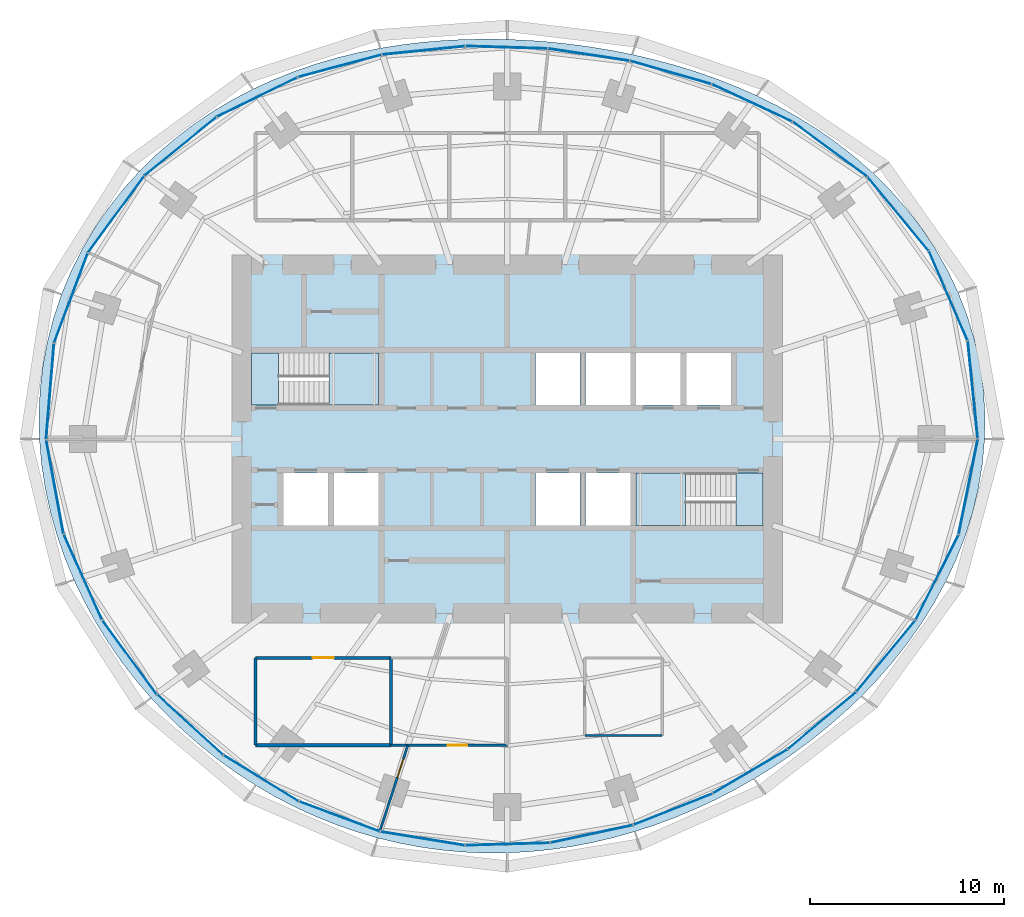
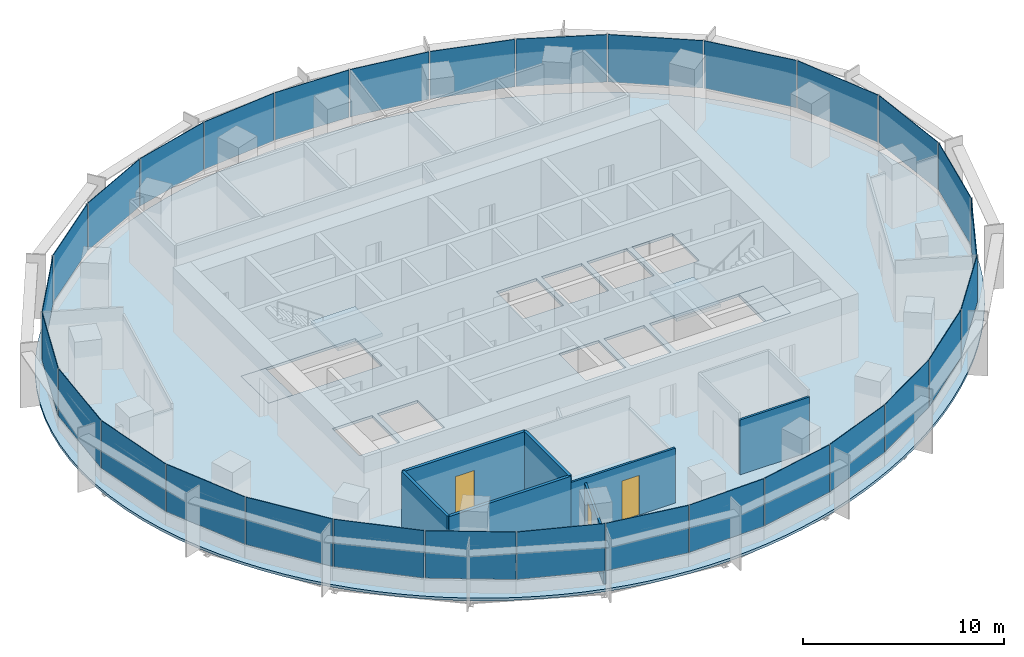
# One storey, part 9 of 14: 30 plates, 7 walls, 5 slabs, 3 doors, 3 openings, 8 elements without a shape of their own.
"""IFC4 building model written with IfcOpenShell, lengths in metres."""

from ifc_helpers import new_model, si_unit, direction, frame, frame_2d, origin, origin_2d, place, context, subcontext, project, spatial, polyline, rectangle, outline, extrude, material, layer, layer_set, type_object, element, fill, aggregate, save


model = new_model("IFC4")

# Units and contexts
model_context = context("Model", 3, precision=1e-05, world=origin(), true_north=direction((0.0, 1.0)))
body_context = subcontext(model_context, "Body", "Model", "MODEL_VIEW")
ifc_project = project(units=[si_unit("LENGTHUNIT", "METRE"), si_unit("AREAUNIT", "SQUARE_METRE"), si_unit("VOLUMEUNIT", "CUBIC_METRE"), si_unit("PLANEANGLEUNIT", "RADIAN"), si_unit("MASSUNIT", "GRAM", prefix="KILO")], contexts=[model_context])

# Site, building, storey
site_placement = place(None, origin())
site = spatial("IfcSite", under=ifc_project, at=site_placement, CompositionType="ELEMENT")
building_placement = place(site_placement, origin())
building = spatial("IfcBuilding", under=site, at=building_placement, Name="Marramba Exchange Tower", CompositionType="ELEMENT")
storey_placement = place(building_placement, frame((0.0, 0.0, 238.39990234375)))
storey = spatial("IfcBuildingStorey", under=building, at=storey_placement, Name="L58", CompositionType="ELEMENT", Elevation=238.39990234375)

# Slab
ifc_material_1 = material(Name="Concrete N40", Category="concrete")
ifc_layer_1 = layer(ifc_material_1, 0.159912109375)
ifc_layer_set_1 = layer_set([ifc_layer_1], Name="Composite floor slab 160")
slab_type_1 = type_object("IfcSlabType", Name="Composite floor slab 160", PredefinedType="FLOOR", material=ifc_layer_set_1)
slab_1_placement = place(storey_placement, frame((0.0, 0.0, -0.159912109375)))
element("IfcSlab", 1, at=slab_1_placement, inside=storey, type_object=slab_type_1, Name="Floor slab L58", PredefinedType="FLOOR", context=body_context, shape_type="SweptSolid", body=[
    extrude(outline(polyline([(24.64404296875, 0.0), (24.661376953125, 1.29248046875), (24.580078125, 2.58349609375), (24.399658203125, 3.864501953125), (24.12109375, 5.127197265625), (23.7470703125, 6.363037109375), (23.281494140625, 7.564697265625), (22.72900390625, 8.724853515625), (22.095947265625, 9.837646484375), (21.388427734375, 10.89794921875), (20.614013671875, 11.901611328125), (19.780029296875, 12.845458984375), (18.894287109375, 13.7275390625), (17.964111328125, 14.547119140625), (16.996826171875, 15.303955078125), (15.9990234375, 15.9990234375), (14.977294921875, 16.634033203125), (13.936767578125, 17.21044921875), (12.882568359375, 17.7314453125), (11.819091796875, 18.19970703125), (10.749267578125, 18.6181640625), (9.67578125, 18.989990234375), (8.60107421875, 19.318115234375), (7.52587890625, 19.60546875), (6.451171875, 19.8544921875), (5.377197265625, 20.067626953125), (4.303466796875, 20.246337890625), (3.229736328125, 20.39208984375), (2.1552734375, 20.50537109375), (1.078857421875, 20.5869140625), (0.0, 20.63623046875), (-1.082275390625, 20.652587890625), (-2.168701171875, 20.634765625), (-3.259765625, 20.580810546875), (-4.35498046875, 20.4892578125), (-5.45458984375, 20.35693359375), (-6.557373046875, 20.181884765625), (-7.662353515625, 19.9609375), (-8.76708984375, 19.691162109375), (-9.869384765625, 19.369873046875), (-10.96630859375, 18.994384765625), (-12.05419921875, 18.561767578125), (-13.128662109375, 18.070068359375), (-14.185546875, 17.517578125), (-15.218994140625, 16.902587890625), (-16.22412109375, 16.22412109375), (-17.195068359375, 15.482421875), (-18.12548828125, 14.677734375), (-19.009521484375, 13.811279296875), (-19.841064453125, 12.885009765625), (-20.614013671875, 11.901611328125), (-21.32275390625, 10.864501953125), (-21.9619140625, 9.778076171875), (-22.52685546875, 8.647216796875), (-23.01318359375, 7.477294921875), (-23.417724609375, 6.274658203125), (-23.73779296875, 5.045654296875), (-23.971923828125, 3.796875), (-24.119384765625, 2.53515625), (-24.180419921875, 1.267333984375), (-24.156005859375, 0.0), (-24.04833984375, -1.26025390625), (-23.860107421875, -2.5078125), (-23.594482421875, -3.737060546875), (-23.25537109375, -4.943115234375), (-22.846923828125, -6.121826171875), (-22.373291015625, -7.26953125), (-21.8388671875, -8.38330078125), (-21.247802734375, -9.460205078125), (-20.604248046875, -10.49853515625), (-19.912109375, -11.496337890625), (-19.174560546875, -12.4521484375), (-18.395263671875, -13.364990234375), (-17.5771484375, -14.233642578125), (-16.72265625, -15.05712890625), (-15.834228515625, -15.834228515625), (-14.914794921875, -16.564453125), (-13.966064453125, -17.24658203125), (-12.990234375, -17.879638671875), (-11.98974609375, -18.46240234375), (-10.96630859375, -18.994384765625), (-9.922607421875, -19.47412109375), (-8.860595703125, -19.901123046875), (-7.78271484375, -20.2744140625), (-6.691162109375, -20.593505859375), (-5.5888671875, -20.858154296875), (-4.478271484375, -21.068115234375), (-3.361328125, -21.22314453125), (-2.2412109375, -21.32373046875), (-1.119873046875, -21.370361328125), (0.0, -21.36376953125), (1.116455078125, -21.3046875), (2.2275390625, -21.194580078125), (3.33154296875, -21.0341796875), (4.426513671875, -20.8251953125), (5.511474609375, -20.56884765625), (6.5849609375, -20.266357421875), (7.646240234375, -19.919189453125), (8.694580078125, -19.528076171875), (9.72900390625, -19.09423828125), (10.749267578125, -18.6181640625), (11.75439453125, -18.100341796875), (12.744140625, -17.541015625), (13.71728515625, -16.939697265625), (14.6728515625, -16.2958984375), (15.609130859375, -15.609130859375), (16.5244140625, -14.878662109375), (17.415771484375, -14.10302734375), (18.280029296875, -13.28125), (19.11376953125, -12.41259765625), (19.912109375, -11.496337890625), (20.669921875, -10.531982421875), (21.3818359375, -9.519775390625), (22.041259765625, -8.4609375), (22.641845703125, -7.356689453125), (23.176513671875, -6.210205078125), (23.638671875, -5.024658203125), (24.022216796875, -3.8046875), (24.32080078125, -2.55615234375), (24.529541015625, -1.28564453125), (24.64404296875, 0.0)]), holes=[polyline([(1.449951171875, 1.75), (3.75, 1.75), (3.75, 4.449951171875), (1.449951171875, 4.449951171875), (1.449951171875, 1.75)]), polyline([(4.050048828125, 1.75), (6.35009765625, 1.75), (6.35009765625, 4.449951171875), (4.050048828125, 4.449951171875), (4.050048828125, 1.75)]), polyline([(1.449951171875, -4.449951171875), (3.75, -4.449951171875), (3.75, -1.75), (1.449951171875, -1.75), (1.449951171875, -4.449951171875)]), polyline([(4.050048828125, -4.449951171875), (6.35009765625, -4.449951171875), (6.35009765625, -1.75), (4.050048828125, -1.75), (4.050048828125, -4.449951171875)]), polyline([(6.64990234375, 1.75), (8.949951171875, 1.75), (8.949951171875, 4.449951171875), (6.64990234375, 4.449951171875), (6.64990234375, 1.75)]), polyline([(-8.949951171875, -4.449951171875), (-6.64990234375, -4.449951171875), (-6.64990234375, -1.75), (-8.949951171875, -1.75), (-8.949951171875, -4.449951171875)]), polyline([(-11.550048828125, -4.449951171875), (-9.25, -4.449951171875), (-9.25, -1.75), (-11.550048828125, -1.75), (-11.550048828125, -4.449951171875)]), polyline([(9.25, 1.75), (11.550048828125, 1.75), (11.550048828125, 4.449951171875), (9.25, 4.449951171875), (9.25, 1.75)]), polyline([(-13.199951171875, 1.75), (-6.64990234375, 1.75), (-6.64990234375, 4.449951171875), (-13.199951171875, 4.449951171875), (-13.199951171875, 1.75)]), polyline([(6.64990234375, -4.449951171875), (13.199951171875, -4.449951171875), (13.199951171875, -1.75), (6.64990234375, -1.75), (6.64990234375, -4.449951171875)])]), origin(), (0.0, 0.0, 1.0), 0.159912109375),
])

# Curtain wall, plates
ifc_material_2 = material(Name="Aluminium framing, bronze anodised", Category="aluminium")
curtain_wall_type = type_object("IfcCurtainWallType", Name="Office ribbon curtain wall", PredefinedType="USERDEFINED", material=ifc_material_2)
curtain_wall_1_placement = place(storey_placement, origin())
curtain_wall_1 = element("IfcCurtainWall", 2, at=curtain_wall_1_placement, inside=storey, type_object=curtain_wall_type, Name="Curtain wall CW4 L58 F01-F05", ObjectType="RIBBON CURTAIN WALL", PredefinedType="USERDEFINED")
ifc_material_3 = material(Name="Laminated double glazed unit 10.76 + 16 + 10.76, bronze tinted", Category="glass")
ifc_layer_2 = layer(ifc_material_3, 0.03759765625)
ifc_layer_set_2 = layer_set([ifc_layer_2], Name="Office ribbon curtain wall panel")
plate_type = type_object("IfcPlateType", Name="Office ribbon curtain wall panel", PredefinedType="CURTAIN_PANEL", material=ifc_layer_set_2)
plate_1_placement = place(storey_placement, frame((24.033203125, 2.556884765625, 0.860107421875), z_axis=(0.0, 0.0, 1.0), x_axis=(-0.101422472607, 0.994843446001, 0.0)))
plate_1 = element("IfcPlate", 3, at=plate_1_placement, type_object=plate_type, Name="CW4 vision panel", PredefinedType="CURTAIN_PANEL", context=body_context, shape_type="SweptSolid", body=[
    extrude(rectangle(XDim=5.0205078125, YDim=0.03759765625, at=origin_2d()), origin(), (0.0, 0.0, 1.0), 2.8798828125),
])
plate_2_placement = place(storey_placement, frame((22.765625, 7.40234375, 0.860107421875), z_axis=(0.0, 0.0, 1.0), x_axis=(-0.396193346946, 0.918167104527, 0.0)))
plate_2 = element("IfcPlate", 4, at=plate_2_placement, type_object=plate_type, Name="CW4 vision panel", PredefinedType="CURTAIN_PANEL", context=body_context, shape_type="SweptSolid", body=[
    extrude(rectangle(XDim=4.99462890625, YDim=0.03759765625, at=origin_2d()), origin(), (0.0, 0.0, 1.0), 2.8798828125),
])
plate_3_placement = place(storey_placement, frame((20.174560546875, 11.631591796875, 0.860107421875), z_axis=(0.0, 0.0, 1.0), x_axis=(-0.637350227411, 0.770574258342, 0.0)))
plate_3 = element("IfcPlate", 5, at=plate_3_placement, type_object=plate_type, Name="CW4 vision panel", PredefinedType="CURTAIN_PANEL", context=body_context, shape_type="SweptSolid", body=[
    extrude(rectangle(XDim=4.90576171875, YDim=0.03759765625, at=origin_2d()), origin(), (0.0, 0.0, 1.0), 2.8798828125),
])
plate_4_placement = place(storey_placement, frame((16.653076171875, 14.965576171875, 0.860107421875), z_axis=(0.0, 0.0, 1.0), x_axis=(-0.804877259395, 0.593441317494, 0.0)))
plate_4 = element("IfcPlate", 6, at=plate_4_placement, type_object=plate_type, Name="CW4 vision panel", PredefinedType="CURTAIN_PANEL", context=body_context, shape_type="SweptSolid", body=[
    extrude(rectangle(XDim=4.745849609375, YDim=0.03759765625, at=origin_2d()), origin(), (0.0, 0.0, 1.0), 2.8798828125),
])
plate_5_placement = place(storey_placement, frame((12.63134765625, 17.357177734375, 0.860107421875), z_axis=(0.0, 0.0, 1.0), x_axis=(-0.906533907301, 0.422133006189, 0.0)))
plate_5 = element("IfcPlate", 7, at=plate_5_placement, type_object=plate_type, Name="CW4 vision panel", PredefinedType="CURTAIN_PANEL", context=body_context, shape_type="SweptSolid", body=[
    extrude(rectangle(XDim=4.53857421875, YDim=0.03759765625, at=origin_2d()), origin(), (0.0, 0.0, 1.0), 2.8798828125),
])
aggregate(curtain_wall_1, [plate_1, plate_2, plate_3, plate_4, plate_5])

curtain_wall_2_placement = place(storey_placement, origin())
curtain_wall_2 = element("IfcCurtainWall", 8, at=curtain_wall_2_placement, inside=storey, type_object=curtain_wall_type, Name="Curtain wall CW4 L58 F06-F10", ObjectType="RIBBON CURTAIN WALL", PredefinedType="USERDEFINED")
plate_6_placement = place(storey_placement, frame((8.4296875, 18.926513671875, 0.860107421875), z_axis=(0.0, 0.0, 1.0), x_axis=(-0.961658954195, 0.274248164656, 0.0)))
plate_6 = element("IfcPlate", 9, at=plate_6_placement, type_object=plate_type, Name="CW4 vision panel", PredefinedType="CURTAIN_PANEL", context=body_context, shape_type="SweptSolid", body=[
    extrude(rectangle(XDim=4.33984375, YDim=0.03759765625, at=origin_2d()), origin(), (0.0, 0.0, 1.0), 2.8798828125),
])
plate_7_placement = place(storey_placement, frame((4.201171875, 19.843994140625, 0.860107421875), z_axis=(0.0, 0.0, 1.0), x_axis=(-0.988868065698, 0.148794988635, 0.0)))
plate_7 = element("IfcPlate", 10, at=plate_7_placement, type_object=plate_type, Name="CW4 vision panel", PredefinedType="CURTAIN_PANEL", context=body_context, shape_type="SweptSolid", body=[
    extrude(rectangle(XDim=4.2119140625, YDim=0.03759765625, at=origin_2d()), origin(), (0.0, 0.0, 1.0), 2.8798828125),
])
plate_8_placement = place(storey_placement, frame((-0.036865234375, 20.222900390625, 0.860107421875), z_axis=(0.0, 0.0, 1.0), x_axis=(-0.999538000143, 0.03039385249, 0.0)))
plate_8 = element("IfcPlate", 11, at=plate_8_placement, type_object=plate_type, Name="CW4 vision panel", PredefinedType="CURTAIN_PANEL", context=body_context, shape_type="SweptSolid", body=[
    extrude(rectangle(XDim=4.19287109375, YDim=0.03759765625, at=origin_2d()), origin(), (0.0, 0.0, 1.0), 2.8798828125),
])
plate_9_placement = place(storey_placement, frame((-4.320556640625, 20.064697265625, 0.860107421875), z_axis=(0.0, 0.0, 1.0), x_axis=(-0.994900357369, -0.100862673507, 0.0)))
plate_9 = element("IfcPlate", 12, at=plate_9_placement, type_object=plate_type, Name="CW4 vision panel", PredefinedType="CURTAIN_PANEL", context=body_context, shape_type="SweptSolid", body=[
    extrude(rectangle(XDim=4.279296875, YDim=0.03759765625, at=origin_2d()), origin(), (0.0, 0.0, 1.0), 2.8798828125),
])
plate_10_placement = place(storey_placement, frame((-8.6494140625, 19.262451171875, 0.860107421875), z_axis=(0.0, 0.0, 1.0), x_axis=(-0.966240653155, -0.257641223778, 0.0)))
plate_10 = element("IfcPlate", 13, at=plate_10_placement, type_object=plate_type, Name="CW4 vision panel", PredefinedType="CURTAIN_PANEL", context=body_context, shape_type="SweptSolid", body=[
    extrude(rectangle(XDim=4.433837890625, YDim=0.03759765625, at=origin_2d()), origin(), (0.0, 0.0, 1.0), 2.8798828125),
])
aggregate(curtain_wall_2, [plate_6, plate_7, plate_8, plate_9, plate_10])

curtain_wall_3_placement = place(storey_placement, origin())
curtain_wall_3 = element("IfcCurtainWall", 14, at=curtain_wall_3_placement, inside=storey, type_object=curtain_wall_type, Name="Curtain wall CW4 L58 F11-F15", ObjectType="RIBBON CURTAIN WALL", PredefinedType="USERDEFINED")
plate_11_placement = place(storey_placement, frame((-12.9150390625, 17.653564453125, 0.860107421875), z_axis=(0.0, 0.0, 1.0), x_axis=(-0.898500518805, -0.438972456661, 0.0)))
plate_11 = element("IfcPlate", 15, at=plate_11_placement, type_object=plate_type, Name="CW4 vision panel", PredefinedType="CURTAIN_PANEL", context=body_context, shape_type="SweptSolid", body=[
    extrude(rectangle(XDim=4.607177734375, YDim=0.03759765625, at=origin_2d()), origin(), (0.0, 0.0, 1.0), 2.8798828125),
])
plate_12_placement = place(storey_placement, frame((-16.87890625, 15.10498046875, 0.860107421875), z_axis=(0.0, 0.0, 1.0), x_axis=(-0.776432169145, -0.630200830464, 0.0)))
plate_12 = element("IfcPlate", 16, at=plate_12_placement, type_object=plate_type, Name="CW4 vision panel", PredefinedType="CURTAIN_PANEL", context=body_context, shape_type="SweptSolid", body=[
    extrude(rectangle(XDim=4.7587890625, YDim=0.03759765625, at=origin_2d()), origin(), (0.0, 0.0, 1.0), 2.8798828125),
])
plate_13_placement = place(storey_placement, frame((-20.2021484375, 11.596435546875, 0.860107421875), z_axis=(0.0, 0.0, 1.0), x_axis=(-0.591962922138, -0.805965197024, 0.0)))
plate_13 = element("IfcPlate", 17, at=plate_13_placement, type_object=plate_type, Name="CW4 vision panel", PredefinedType="CURTAIN_PANEL", context=body_context, shape_type="SweptSolid", body=[
    extrude(rectangle(XDim=4.865478515625, YDim=0.03759765625, at=origin_2d()), origin(), (0.0, 0.0, 1.0), 2.8798828125),
])
plate_14_placement = place(storey_placement, frame((-22.529296875, 7.276123046875, 0.860107421875), z_axis=(0.0, 0.0, 1.0), x_axis=(-0.351951515885, -0.936018231909, 0.0)))
plate_14 = element("IfcPlate", 18, at=plate_14_placement, type_object=plate_type, Name="CW4 vision panel", PredefinedType="CURTAIN_PANEL", context=body_context, shape_type="SweptSolid", body=[
    extrude(rectangle(XDim=4.921630859375, YDim=0.03759765625, at=origin_2d()), origin(), (0.0, 0.0, 1.0), 2.8798828125),
])
plate_15_placement = place(storey_placement, frame((-23.603271484375, 2.45654296875, 0.860107421875), z_axis=(0.0, 0.0, 1.0), x_axis=(-0.082280890264, -0.996609178714, 0.0)))
plate_15 = element("IfcPlate", 19, at=plate_15_placement, type_object=plate_type, Name="CW4 vision panel", PredefinedType="CURTAIN_PANEL", context=body_context, shape_type="SweptSolid", body=[
    extrude(rectangle(XDim=4.9296875, YDim=0.03759765625, at=origin_2d()), origin(), (0.0, 0.0, 1.0), 2.8798828125),
])
aggregate(curtain_wall_3, [plate_11, plate_12, plate_13, plate_14, plate_15])

curtain_wall_4_placement = place(storey_placement, origin())
curtain_wall_4 = element("IfcCurtainWall", 20, at=curtain_wall_4_placement, inside=storey, type_object=curtain_wall_type, Name="Curtain wall CW4 L58 F16-F20", ObjectType="RIBBON CURTAIN WALL", PredefinedType="USERDEFINED")
plate_16_placement = place(storey_placement, frame((-23.354248046875, -2.464599609375, 0.860107421875), z_axis=(0.0, 0.0, 1.0), x_axis=(0.180327438996, -0.983606636184, 0.0)))
plate_16 = element("IfcPlate", 21, at=plate_16_placement, type_object=plate_type, Name="CW4 vision panel", PredefinedType="CURTAIN_PANEL", context=body_context, shape_type="SweptSolid", body=[
    extrude(rectangle(XDim=4.8916015625, YDim=0.03759765625, at=origin_2d()), origin(), (0.0, 0.0, 1.0), 2.8798828125),
])
plate_17_placement = place(storey_placement, frame((-21.908447265625, -7.12158203125, 0.860107421875), z_axis=(0.0, 0.0, 1.0), x_axis=(0.407557580942, -0.913179510401, 0.0)))
plate_17 = element("IfcPlate", 22, at=plate_17_placement, type_object=plate_type, Name="CW4 vision panel", PredefinedType="CURTAIN_PANEL", context=body_context, shape_type="SweptSolid", body=[
    extrude(rectangle(XDim=4.810302734375, YDim=0.03759765625, at=origin_2d()), origin(), (0.0, 0.0, 1.0), 2.8798828125),
])
plate_18_placement = place(storey_placement, frame((-19.50244140625, -11.2626953125, 0.860107421875), z_axis=(0.0, 0.0, 1.0), x_axis=(0.591223103363, -0.806508054547, 0.0)))
plate_18 = element("IfcPlate", 23, at=plate_18_placement, type_object=plate_type, Name="CW4 vision panel", PredefinedType="CURTAIN_PANEL", context=body_context, shape_type="SweptSolid", body=[
    extrude(rectangle(XDim=4.703125, YDim=0.03759765625, at=origin_2d()), origin(), (0.0, 0.0, 1.0), 2.8798828125),
])
plate_19_placement = place(storey_placement, frame((-16.374267578125, -14.752197265625, 0.860107421875), z_axis=(0.0, 0.0, 1.0), x_axis=(0.737203264245, -0.67567103474, 0.0)))
plate_19 = element("IfcPlate", 24, at=plate_19_placement, type_object=plate_type, Name="CW4 vision panel", PredefinedType="CURTAIN_PANEL", context=body_context, shape_type="SweptSolid", body=[
    extrude(rectangle(XDim=4.594970703125, YDim=0.03759765625, at=origin_2d()), origin(), (0.0, 0.0, 1.0), 2.8798828125),
])
plate_20_placement = place(storey_placement, frame((-12.71044921875, -17.513427734375, 0.860107421875), z_axis=(0.0, 0.0, 1.0), x_axis=(0.85230101176, -0.52305160869, 0.0)))
plate_20 = element("IfcPlate", 25, at=plate_20_placement, type_object=plate_type, Name="CW4 vision panel", PredefinedType="CURTAIN_PANEL", context=body_context, shape_type="SweptSolid", body=[
    extrude(rectangle(XDim=4.503173828125, YDim=0.03759765625, at=origin_2d()), origin(), (0.0, 0.0, 1.0), 2.8798828125),
])
aggregate(curtain_wall_4, [plate_16, plate_17, plate_18, plate_19, plate_20])

curtain_wall_5_placement = place(storey_placement, origin())
curtain_wall_5 = element("IfcCurtainWall", 26, at=curtain_wall_5_placement, inside=storey, type_object=curtain_wall_type, Name="Curtain wall CW4 L58 F21-F25", ObjectType="RIBBON CURTAIN WALL", PredefinedType="USERDEFINED")
plate_21_placement = place(storey_placement, frame((-8.6591796875, -19.486572265625, 0.860107421875), z_axis=(0.0, 0.0, 1.0), x_axis=(0.936951583142, -0.349459197687, 0.0)))
plate_21 = element("IfcPlate", 27, at=plate_21_placement, type_object=plate_type, Name="CW4 vision panel", PredefinedType="CURTAIN_PANEL", context=body_context, shape_type="SweptSolid", body=[
    extrude(rectangle(XDim=4.431396484375, YDim=0.03759765625, at=origin_2d()), origin(), (0.0, 0.0, 1.0), 2.8798828125),
])
plate_22_placement = place(storey_placement, frame((-4.3642578125, -20.623046875, 0.860107421875), z_axis=(0.0, 0.0, 1.0), x_axis=(0.986930623159, -0.161145726194, 0.0)))
plate_22 = element("IfcPlate", 28, at=plate_22_placement, type_object=plate_type, Name="CW4 vision panel", PredefinedType="CURTAIN_PANEL", context=body_context, shape_type="SweptSolid", body=[
    extrude(rectangle(XDim=4.37646484375, YDim=0.03759765625, at=origin_2d()), origin(), (0.0, 0.0, 1.0), 2.8798828125),
])
plate_23_placement = place(storey_placement, frame((0.023193359375, -20.91015625, 0.860107421875), z_axis=(0.0, 0.0, 1.0), x_axis=(0.99956791915, 0.029393451762, 0.0)))
plate_23 = element("IfcPlate", 29, at=plate_23_placement, type_object=plate_type, Name="CW4 vision panel", PredefinedType="CURTAIN_PANEL", context=body_context, shape_type="SweptSolid", body=[
    extrude(rectangle(XDim=4.337646484375, YDim=0.03759765625, at=origin_2d()), origin(), (0.0, 0.0, 1.0), 2.8798828125),
])
plate_24_placement = place(storey_placement, frame((4.36328125, -20.3837890625, 0.860107421875), z_axis=(0.0, 0.0, 1.0), x_axis=(0.978058069607, 0.208332456608, 0.0)))
plate_24 = element("IfcPlate", 30, at=plate_24_placement, type_object=plate_type, Name="CW4 vision panel", PredefinedType="CURTAIN_PANEL", context=body_context, shape_type="SweptSolid", body=[
    extrude(rectangle(XDim=4.32177734375, YDim=0.03759765625, at=origin_2d()), origin(), (0.0, 0.0, 1.0), 2.8798828125),
])
plate_25_placement = place(storey_placement, frame((8.553466796875, -19.11328125, 0.860107421875), z_axis=(0.0, 0.0, 1.0), x_axis=(0.93007301435, 0.367374724195, 0.0)))
plate_25 = element("IfcPlate", 31, at=plate_25_placement, type_object=plate_type, Name="CW4 vision panel", PredefinedType="CURTAIN_PANEL", context=body_context, shape_type="SweptSolid", body=[
    extrude(rectangle(XDim=4.345458984375, YDim=0.03759765625, at=origin_2d()), origin(), (0.0, 0.0, 1.0), 2.8798828125),
])
aggregate(curtain_wall_5, [plate_21, plate_22, plate_23, plate_24, plate_25])

curtain_wall_6_placement = place(storey_placement, origin())
curtain_wall_6 = element("IfcCurtainWall", 32, at=curtain_wall_6_placement, inside=storey, type_object=curtain_wall_type, Name="Curtain wall CW4 L58 F26-F30", ObjectType="RIBBON CURTAIN WALL", PredefinedType="USERDEFINED")
plate_26_placement = place(storey_placement, frame((12.5322265625, -17.16015625, 0.860107421875), z_axis=(0.0, 0.0, 1.0), x_axis=(0.861350833897, 0.508010571686, 0.0)))
plate_26 = element("IfcPlate", 33, at=plate_26_placement, type_object=plate_type, Name="CW4 vision panel", PredefinedType="CURTAIN_PANEL", context=body_context, shape_type="SweptSolid", body=[
    extrude(rectangle(XDim=4.426513671875, YDim=0.03759765625, at=origin_2d()), origin(), (0.0, 0.0, 1.0), 2.8798828125),
])
plate_27_placement = place(storey_placement, frame((16.240966796875, -14.536376953125, 0.860107421875), z_axis=(0.0, 0.0, 1.0), x_axis=(0.768736798421, 0.639565270127, 0.0)))
plate_27 = element("IfcPlate", 34, at=plate_27_placement, type_object=plate_type, Name="CW4 vision panel", PredefinedType="CURTAIN_PANEL", context=body_context, shape_type="SweptSolid", body=[
    extrude(rectangle(XDim=4.568603515625, YDim=0.03759765625, at=origin_2d()), origin(), (0.0, 0.0, 1.0), 2.8798828125),
])
plate_28_placement = place(storey_placement, frame((19.548583984375, -11.203369140625, 0.860107421875), z_axis=(0.0, 0.0, 1.0), x_axis=(0.63814998673, 0.769912069289, 0.0)))
plate_28 = element("IfcPlate", 35, at=plate_28_placement, type_object=plate_type, Name="CW4 vision panel", PredefinedType="CURTAIN_PANEL", context=body_context, shape_type="SweptSolid", body=[
    extrude(rectangle(XDim=4.7431640625, YDim=0.03759765625, at=origin_2d()), origin(), (0.0, 0.0, 1.0), 2.8798828125),
])
plate_29_placement = place(storey_placement, frame((22.19287109375, -7.137939453125, 0.860107421875), z_axis=(0.0, 0.0, 1.0), x_axis=(0.450673083956, 0.892689067591, 0.0)))
plate_29 = element("IfcPlate", 36, at=plate_29_placement, type_object=plate_type, Name="CW4 vision panel", PredefinedType="CURTAIN_PANEL", context=body_context, shape_type="SweptSolid", body=[
    extrude(rectangle(XDim=4.897705078125, YDim=0.03759765625, at=origin_2d()), origin(), (0.0, 0.0, 1.0), 2.8798828125),
])
plate_30_placement = place(storey_placement, frame((23.801025390625, -2.446533203125, 0.860107421875), z_axis=(0.0, 0.0, 1.0), x_axis=(0.197495405316, 0.980303812539, 0.0)))
plate_30 = element("IfcPlate", 37, at=plate_30_placement, type_object=plate_type, Name="CW4 vision panel", PredefinedType="CURTAIN_PANEL", context=body_context, shape_type="SweptSolid", body=[
    extrude(rectangle(XDim=4.9912109375, YDim=0.03759765625, at=origin_2d()), origin(), (0.0, 0.0, 1.0), 2.8798828125),
])
aggregate(curtain_wall_6, [plate_26, plate_27, plate_28, plate_29, plate_30])

# Stair, slabs
ifc_material_4 = material(Name="Concrete N40 (40 MPa)", Category="concrete")
stair_type_1 = type_object("IfcStairType", Name="Exit stair ST1 3900 x 1250", PredefinedType="HALF_TURN_STAIR", material=ifc_material_4)
stair_1_placement = place(storey_placement, origin())
stair_1 = element("IfcStair", 38, at=stair_1_placement, inside=storey, type_object=stair_type_1, Name="Exit stair ST1 L58", PredefinedType="HALF_TURN_STAIR")
ifc_layer_3 = layer(ifc_material_4, 0.199951171875)
ifc_layer_set_3 = layer_set([ifc_layer_3], Name="Stair landing 200")
slab_type_2 = type_object("IfcSlabType", Name="Stair landing 200", PredefinedType="LANDING", material=ifc_layer_set_3)
slab_2_placement = place(storey_placement, frame((0.0, 0.0, -0.199951171875)))
slab_2 = element("IfcSlab", 39, at=slab_2_placement, type_object=slab_type_2, Name="ST1 landing 1", PredefinedType="LANDING", context=body_context, shape_type="SweptSolid", body=[
    extrude(outline(polyline([(-13.199951171875, 1.75), (-11.800048828125, 1.75), (-11.800048828125, 4.449951171875), (-13.199951171875, 4.449951171875), (-13.199951171875, 1.75)])), origin(), (0.0, 0.0, 1.0), 0.199951171875),
])
slab_3_placement = place(storey_placement, frame((0.0, 0.0, 1.75)))
slab_3 = element("IfcSlab", 40, at=slab_3_placement, type_object=slab_type_2, Name="ST1 landing 2", PredefinedType="LANDING", context=body_context, shape_type="SweptSolid", body=[
    extrude(outline(polyline([(-9.199951171875, 1.75), (-6.64990234375, 1.75), (-6.64990234375, 4.449951171875), (-9.199951171875, 4.449951171875), (-9.199951171875, 1.75)])), origin(), (0.0, 0.0, 1.0), 0.2001953125),
])
aggregate(stair_1, [slab_2, slab_3])

stair_type_2 = type_object("IfcStairType", Name="Exit stair ST2 3900 x 1250", PredefinedType="HALF_TURN_STAIR", material=ifc_material_4)
stair_2_placement = place(storey_placement, origin())
stair_2 = element("IfcStair", 41, at=stair_2_placement, inside=storey, type_object=stair_type_2, Name="Exit stair ST2 L58", PredefinedType="HALF_TURN_STAIR")
slab_4_placement = place(storey_placement, frame((0.0, 0.0, -0.199951171875)))
slab_4 = element("IfcSlab", 42, at=slab_4_placement, type_object=slab_type_2, Name="ST2 landing 1", PredefinedType="LANDING", context=body_context, shape_type="SweptSolid", body=[
    extrude(outline(polyline([(11.800048828125, -4.449951171875), (13.199951171875, -4.449951171875), (13.199951171875, -1.75), (11.800048828125, -1.75), (11.800048828125, -4.449951171875)])), origin(), (0.0, 0.0, 1.0), 0.199951171875),
])
slab_5_placement = place(storey_placement, frame((0.0, 0.0, 1.75)))
slab_5 = element("IfcSlab", 43, at=slab_5_placement, type_object=slab_type_2, Name="ST2 landing 2", PredefinedType="LANDING", context=body_context, shape_type="SweptSolid", body=[
    extrude(outline(polyline([(6.64990234375, -4.449951171875), (9.199951171875, -4.449951171875), (9.199951171875, -1.75), (6.64990234375, -1.75), (6.64990234375, -4.449951171875)])), origin(), (0.0, 0.0, 1.0), 0.2001953125),
])
aggregate(stair_2, [slab_4, slab_5])

# Wall
ifc_material_5 = material(Name="Plasterboard on staggered double steel studs, acoustic insulation", Category="steel")
ifc_layer_4 = layer(ifc_material_5, 0.169921875)
ifc_layer_set_4 = layer_set([ifc_layer_4], Name="Acoustic partition 170")
wall_type_1 = type_object("IfcWallType", Name="Acoustic partition 170", PredefinedType="PARTITIONING", material=ifc_layer_set_4)
wall_1_placement = place(storey_placement, frame((-13.0, -11.300048828125, 0.0), z_axis=(0.0, 0.0, 1.0), x_axis=(0.0, -1.0, 0.0)))
element("IfcWall", 44, at=wall_1_placement, inside=storey, type_object=wall_type_1, Name="Acoustic partition L58 01", PredefinedType="PARTITIONING", context=body_context, shape_type="SweptSolid", body=[
    extrude(rectangle(XDim=4.5, YDim=0.169921875, at=frame_2d((2.25, 0.0))), origin(), (0.0, 0.0, 1.0), 3.739990234375),
])

# Wall, opening, door
wall_2_placement = place(storey_placement, frame((-6.0, -11.300048828125, 0.0), z_axis=(0.0, 0.0, 1.0), x_axis=(-1.0, 0.0, 0.0)))
wall_2 = element("IfcWall", 45, at=wall_2_placement, inside=storey, type_object=wall_type_1, Name="Acoustic partition L58 02", PredefinedType="PARTITIONING", context=body_context, shape_type="SweptSolid", body=[
    extrude(rectangle(XDim=7.0, YDim=0.169921875, at=frame_2d((3.5, 0.0))), origin(), (0.0, 0.0, 1.0), 3.739990234375),
])
opening_1_placement = place(wall_2_placement, frame((2.949951171875, 0.0, 0.0)))
opening_1 = element("IfcOpeningElement", 46, at=opening_1_placement, cuts=wall_2, Name="Opening D15", PredefinedType="OPENING", context=body_context, shape_type="SweptSolid", body=[
    extrude(rectangle(XDim=1.10009765625, YDim=2.39990234375, at=frame_2d((0.550048828125, 1.199951171875))), frame((0.0, 0.094970703125, 0.0), z_axis=(0.0, -1.0, 0.0), x_axis=(1.0, 0.0, 0.0)), (0.0, 0.0, 1.0), 0.18994140625),
])
ifc_material_6 = material(Name="Timber door", Category="wood")
door_type_1 = type_object("IfcDoorType", Name="Glazed meeting room door 1100x2400", OperationType="SINGLE_SWING_LEFT", PredefinedType="DOOR", material=ifc_material_6)
door_1_placement = place(opening_1_placement, origin())
door_1 = element("IfcDoor", 47, at=door_1_placement, inside=storey, type_object=door_type_1, Name="D15 Meeting Room 4 L58", OperationType="SINGLE_SWING_RIGHT", OverallHeight=2.39990234375, OverallWidth=1.10009765625, PredefinedType="DOOR", context=body_context, shape_type="SweptSolid", body=[
    extrude(rectangle(XDim=1.10009765625, YDim=2.39990234375, at=frame_2d((0.550048828125, 1.199951171875))), frame((0.0, 0.02490234375, 0.0), z_axis=(0.0, -1.0, 0.0), x_axis=(1.0, 0.0, 0.0)), (0.0, 0.0, 1.0), 0.050048828125),
])
fill(opening_1, door_1)

# Walls
wall_3_placement = place(storey_placement, frame((-13.0, -15.800048828125, 0.0), z_axis=(0.0, 0.0, 1.0), x_axis=(1.0, 0.0, 0.0)))
element("IfcWall", 48, at=wall_3_placement, inside=storey, type_object=wall_type_1, Name="Acoustic partition L58 03", PredefinedType="PARTITIONING", context=body_context, shape_type="SweptSolid", body=[
    extrude(rectangle(XDim=7.0, YDim=0.169921875, at=frame_2d((3.5, 0.0))), origin(), (0.0, 0.0, 1.0), 3.739990234375),
])
wall_4_placement = place(storey_placement, frame((-6.0, -11.300048828125, 0.0), z_axis=(0.0, 0.0, 1.0), x_axis=(0.0, -1.0, 0.0)))
element("IfcWall", 49, at=wall_4_placement, inside=storey, type_object=wall_type_1, Name="Acoustic partition L58 04", PredefinedType="PARTITIONING", context=body_context, shape_type="SweptSolid", body=[
    extrude(rectangle(XDim=4.5, YDim=0.169921875, at=frame_2d((2.25, 0.0))), origin(), (0.0, 0.0, 1.0), 3.739990234375),
])

# Wall, opening, door
ifc_material_7 = material(Name="Plasterboard on steel studs", Category="steel")
ifc_layer_5 = layer(ifc_material_7, 0.1201171875)
ifc_layer_set_5 = layer_set([ifc_layer_5], Name="Partition 120")
wall_type_2 = type_object("IfcWallType", Name="Partition 120", PredefinedType="PARTITIONING", material=ifc_layer_set_5)
wall_5_placement = place(storey_placement, frame((-6.558349609375, -20.184814453125, 0.0), z_axis=(0.0, 0.0, 1.0), x_axis=(0.308990279462, 0.951065196082, 0.0)))
wall_5 = element("IfcWall", 50, at=wall_5_placement, inside=storey, type_object=wall_type_2, Name="Partition L58 05", PredefinedType="PARTITIONING", context=body_context, shape_type="SweptSolid", body=[
    extrude(rectangle(XDim=4.6103515625, YDim=0.1201171875, at=frame_2d((2.30517578125, 0.0))), origin(), (0.0, 0.0, 1.0), 3.0400390625),
])
opening_2_placement = place(wall_5_placement, frame((2.85888671875, 0.0, 0.0)))
opening_2 = element("IfcOpeningElement", 51, at=opening_2_placement, cuts=wall_5, Name="Opening D9", PredefinedType="OPENING", context=body_context, shape_type="SweptSolid", body=[
    extrude(rectangle(XDim=1.0, YDim=2.39990234375, at=frame_2d((0.5, 1.199951171875))), frame((0.0, 0.070068359375, 0.0), z_axis=(0.0, -1.0, 0.0), x_axis=(1.0, 0.0, 0.0)), (0.0, 0.0, 1.0), 0.14013671875),
])
door_type_2 = type_object("IfcDoorType", Name="Room door 1000x2400", OperationType="SINGLE_SWING_LEFT", PredefinedType="DOOR", material=ifc_material_6)
door_2_placement = place(opening_2_placement, origin())
door_2 = element("IfcDoor", 52, at=door_2_placement, inside=storey, type_object=door_type_2, Name="D9 Client Advisory Office L58", OperationType="SINGLE_SWING_RIGHT", OverallHeight=2.39990234375, OverallWidth=1.0, PredefinedType="DOOR", context=body_context, shape_type="SweptSolid", body=[
    extrude(rectangle(XDim=1.0, YDim=2.39990234375, at=frame_2d((0.5, 1.199951171875))), frame((0.0, 0.02490234375, 0.0), z_axis=(0.0, -1.0, 0.0), x_axis=(1.0, 0.0, 0.0)), (0.0, 0.0, 1.0), 0.050048828125),
])
fill(opening_2, door_2)

wall_6_placement = place(storey_placement, frame((-6.0, -15.800048828125, 0.0), z_axis=(0.0, 0.0, 1.0), x_axis=(1.0, 0.0, 0.0)))
wall_6 = element("IfcWall", 53, at=wall_6_placement, inside=storey, type_object=wall_type_2, Name="Partition L58 08", PredefinedType="PARTITIONING", context=body_context, shape_type="SweptSolid", body=[
    extrude(rectangle(XDim=6.0, YDim=0.1201171875, at=frame_2d((3.0, 0.0))), origin(), (0.0, 0.0, 1.0), 3.333984375),
])
opening_3_placement = place(wall_6_placement, frame((2.93310546875, 0.0, 0.0)))
opening_3 = element("IfcOpeningElement", 54, at=opening_3_placement, cuts=wall_6, Name="Opening D9", PredefinedType="OPENING", context=body_context, shape_type="SweptSolid", body=[
    extrude(rectangle(XDim=1.0, YDim=2.39990234375, at=frame_2d((0.5, 1.199951171875))), frame((0.0, 0.070068359375, 0.0), z_axis=(0.0, -1.0, 0.0), x_axis=(1.0, 0.0, 0.0)), (0.0, 0.0, 1.0), 0.14013671875),
])
door_3_placement = place(opening_3_placement, origin())
door_3 = element("IfcDoor", 55, at=door_3_placement, inside=storey, type_object=door_type_2, Name="D9 Pantry L58", OperationType="SINGLE_SWING_RIGHT", OverallHeight=2.39990234375, OverallWidth=1.0, PredefinedType="DOOR", context=body_context, shape_type="SweptSolid", body=[
    extrude(rectangle(XDim=1.0, YDim=2.39990234375, at=frame_2d((0.5, 1.199951171875))), frame((0.0, 0.02490234375, 0.0), z_axis=(0.0, -1.0, 0.0), x_axis=(1.0, 0.0, 0.0)), (0.0, 0.0, 1.0), 0.050048828125),
])
fill(opening_3, door_3)

# Wall
wall_7_placement = place(storey_placement, frame((8.0, -15.300048828125, 0.0), z_axis=(0.0, 0.0, 1.0), x_axis=(-1.0, 0.0, 0.0)))
element("IfcWall", 56, at=wall_7_placement, inside=storey, type_object=wall_type_2, Name="Partition L58 11", PredefinedType="PARTITIONING", context=body_context, shape_type="SweptSolid", body=[
    extrude(rectangle(XDim=4.0, YDim=0.1201171875, at=frame_2d((2.0, 0.0))), origin(), (0.0, 0.0, 1.0), 3.333984375),
])

save(model, "model.ifc")
